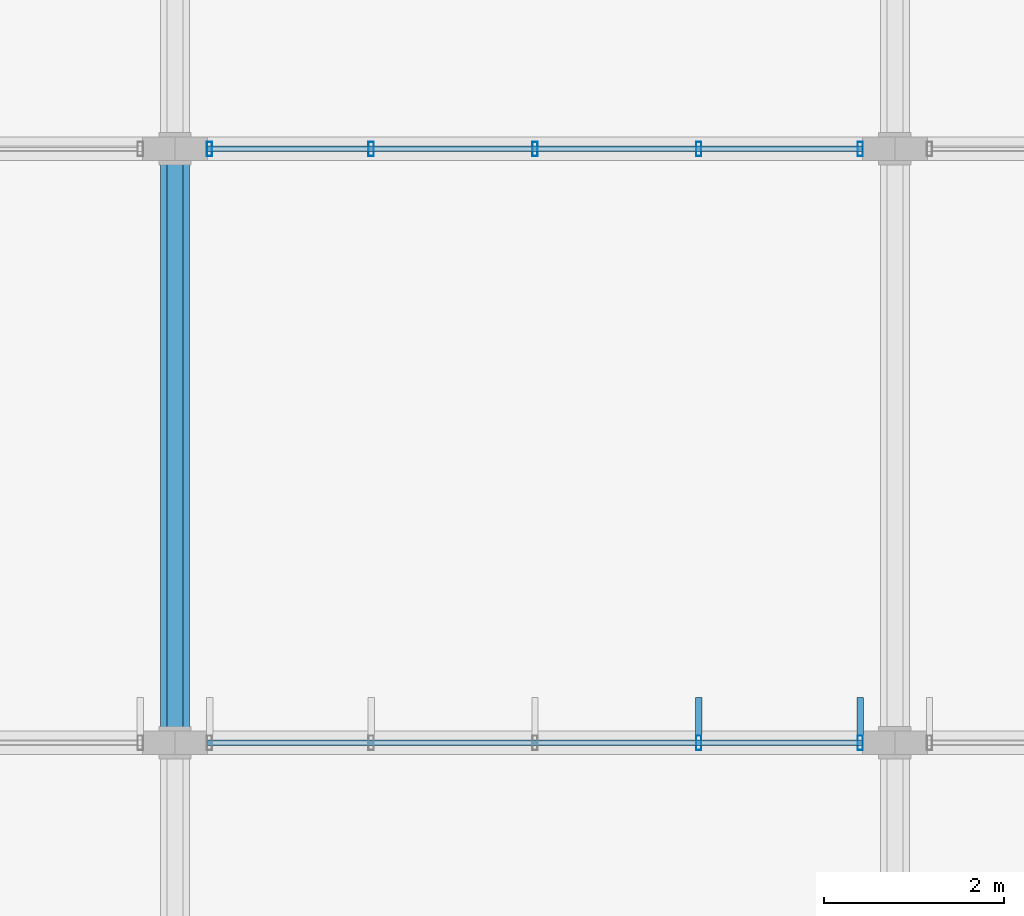
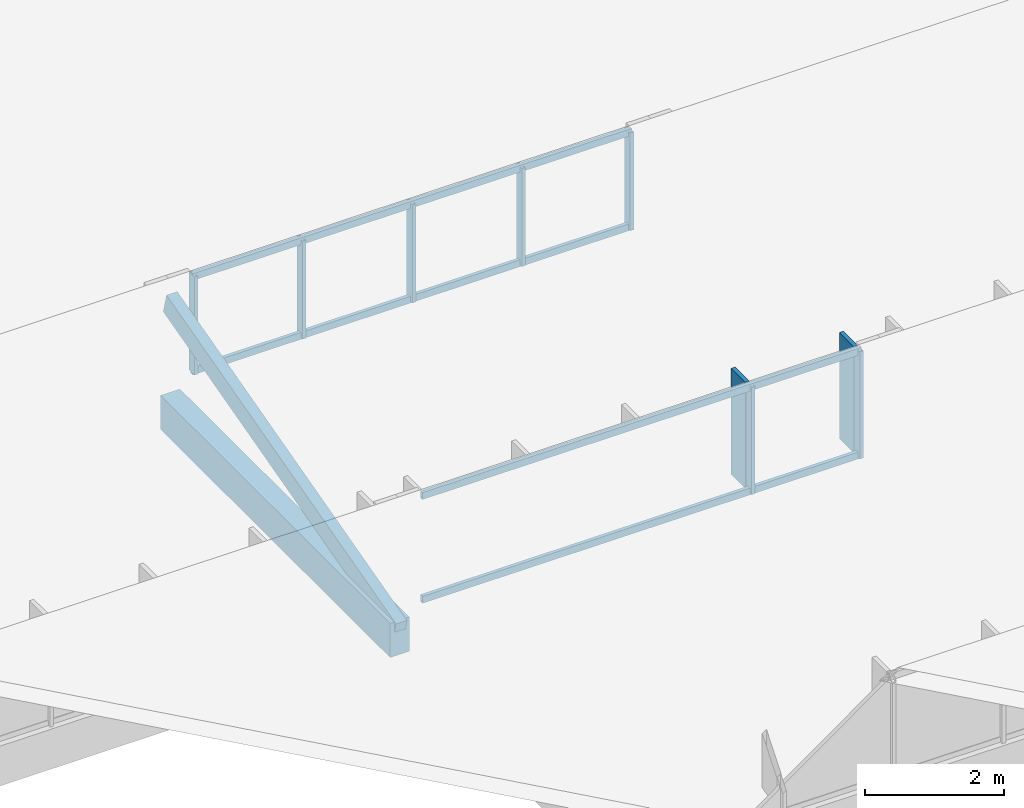
# One storey, part 13 of 94: 15 members, 2 elements without a shape of their own.
"""IFC4 building model written with IfcOpenShell, lengths in metres."""

from ifc_helpers import new_model, si_unit, direction, frame, origin, origin_2d, place, context, subcontext, project, spatial, rectangle, hollow_rectangle, extrude, material, material_profile, profile_set, type_object, element, aggregate, save


model = new_model("IFC4")

# Units and contexts
model_context = context("Model", 3, precision=1e-05, world=origin(), true_north=direction((0.0, 1.0)))
body_context = subcontext(model_context, "Body", "Model", "MODEL_VIEW")
ifc_project = project(units=[si_unit("LENGTHUNIT", "METRE"), si_unit("AREAUNIT", "SQUARE_METRE"), si_unit("VOLUMEUNIT", "CUBIC_METRE"), si_unit("PLANEANGLEUNIT", "RADIAN"), si_unit("MASSUNIT", "GRAM", prefix="KILO")], contexts=[model_context])

# Site, building, storey
site_placement = place(None, origin())
site = spatial("IfcSite", under=ifc_project, at=site_placement, CompositionType="ELEMENT")
building_placement = place(site_placement, origin())
building = spatial("IfcBuilding", under=site, at=building_placement, Name="Chiffa Square Polytechnic", CompositionType="ELEMENT")
storey_placement = place(building_placement, frame((0.0, 0.0, 18.0)))
storey = spatial("IfcBuildingStorey", under=building, at=storey_placement, Name="L04", CompositionType="ELEMENT", Elevation=18.0)

# Curtain wall, members
ifc_material_1 = material(Name="Aluminium EN AW-6060 T66 and glulam shading", Category="wood")
curtain_wall_type_1 = type_object("IfcCurtainWallType", Name="CW-VERT-600X380", PredefinedType="USERDEFINED", material=ifc_material_1)
curtain_wall_1_placement = place(storey_placement, origin())
curtain_wall_1 = element("IfcCurtainWall", 1, at=curtain_wall_1_placement, inside=storey, type_object=curtain_wall_type_1, Name="Curtain wall CW-V6-SAW2-2", ObjectType="CURTAIN WALL", PredefinedType="USERDEFINED")
ifc_material_2 = material(Name="Aluminium EN AW-6060 T66", Category="aluminium")
ifc_material_profile_1 = material_profile(ifc_material_2, hollow_rectangle(XDim=0.06005859375, YDim=0.159912109375, WallThickness=0.00390625, at=origin_2d()), Name="ALU 60x160x4")
ifc_profile_set_1 = profile_set([ifc_material_profile_1], Name="Aluminium EN AW-6060 T66")
member_type_1 = type_object("IfcMemberType", Name="CWM-ALU-65X150", PredefinedType="MULLION", material=ifc_profile_set_1)
member_1_placement = place(storey_placement, frame((15.614990234375, 51.0, 0.699951171875), z_axis=(0.0, 0.0, 1.0), x_axis=(1.0, 0.0, 0.0)))
member_1 = element("IfcMember", 2, at=member_1_placement, type_object=member_type_1, Name="Curtain wall mullion CW-V6-SAW2-2-M00", PredefinedType="MULLION", context=body_context, shape_type="SweptSolid", body=[
    extrude(hollow_rectangle(XDim=0.06005859375, YDim=0.159912109375, WallThickness=0.00390625, at=origin_2d()), origin(), (0.0, 0.0, 1.0), 1.879150390625),
])
member_2_placement = place(storey_placement, frame((13.820068359375, 51.0, 0.699951171875), z_axis=(0.0, 0.0, 1.0), x_axis=(1.0, 0.0, 0.0)))
member_2 = element("IfcMember", 3, at=member_2_placement, type_object=member_type_1, Name="Curtain wall mullion CW-V6-SAW2-2-M01", PredefinedType="MULLION", context=body_context, shape_type="SweptSolid", body=[
    extrude(hollow_rectangle(XDim=0.06005859375, YDim=0.159912109375, WallThickness=0.00390625, at=origin_2d()), origin(), (0.0, 0.0, 1.0), 1.879150390625),
])

curtain_wall_type_2 = type_object("IfcCurtainWallType", Name="CW-VERT-360X380", PredefinedType="USERDEFINED", material=ifc_material_1)
curtain_wall_2_placement = place(storey_placement, origin())
curtain_wall_2 = element("IfcCurtainWall", 4, at=curtain_wall_2_placement, inside=storey, type_object=curtain_wall_type_2, Name="Curtain wall CW-V6-SAW3-2", ObjectType="CURTAIN WALL", PredefinedType="USERDEFINED")
member_3_placement = place(storey_placement, frame((15.614990234375, 57.60009765625, 0.699951171875), z_axis=(0.0, 0.0, 1.0), x_axis=(1.0, 0.0, 0.0)))
member_3 = element("IfcMember", 5, at=member_3_placement, type_object=member_type_1, Name="Curtain wall mullion CW-V6-SAW3-2-M00", PredefinedType="MULLION", context=body_context, shape_type="SweptSolid", body=[
    extrude(hollow_rectangle(XDim=0.06005859375, YDim=0.159912109375, WallThickness=0.00390625, at=origin_2d()), origin(), (0.0, 0.0, 1.0), 1.718017578125),
])
member_4_placement = place(storey_placement, frame((13.820068359375, 57.60009765625, 0.699951171875), z_axis=(0.0, 0.0, 1.0), x_axis=(1.0, 0.0, 0.0)))
member_4 = element("IfcMember", 6, at=member_4_placement, type_object=member_type_1, Name="Curtain wall mullion CW-V6-SAW3-2-M01", PredefinedType="MULLION", context=body_context, shape_type="SweptSolid", body=[
    extrude(hollow_rectangle(XDim=0.06005859375, YDim=0.159912109375, WallThickness=0.00390625, at=origin_2d()), origin(), (0.0, 0.0, 1.0), 1.718017578125),
])
member_5_placement = place(storey_placement, frame((12.0, 57.60009765625, 0.699951171875), z_axis=(0.0, 0.0, 1.0), x_axis=(1.0, 0.0, 0.0)))
member_5 = element("IfcMember", 7, at=member_5_placement, type_object=member_type_1, Name="Curtain wall mullion CW-V6-SAW3-2-M02", PredefinedType="MULLION", context=body_context, shape_type="SweptSolid", body=[
    extrude(hollow_rectangle(XDim=0.06005859375, YDim=0.159912109375, WallThickness=0.00390625, at=origin_2d()), origin(), (0.0, 0.0, 1.0), 1.718017578125),
])
member_6_placement = place(storey_placement, frame((10.179931640625, 57.60009765625, 0.699951171875), z_axis=(0.0, 0.0, 1.0), x_axis=(1.0, 0.0, 0.0)))
member_6 = element("IfcMember", 8, at=member_6_placement, type_object=member_type_1, Name="Curtain wall mullion CW-V6-SAW3-2-M03", PredefinedType="MULLION", context=body_context, shape_type="SweptSolid", body=[
    extrude(hollow_rectangle(XDim=0.06005859375, YDim=0.159912109375, WallThickness=0.00390625, at=origin_2d()), origin(), (0.0, 0.0, 1.0), 1.718017578125),
])
member_7_placement = place(storey_placement, frame((8.385009765625, 57.60009765625, 0.699951171875), z_axis=(0.0, 0.0, 1.0), x_axis=(1.0, 0.0, 0.0)))
member_7 = element("IfcMember", 9, at=member_7_placement, type_object=member_type_1, Name="Curtain wall mullion CW-V6-SAW3-2-M04", PredefinedType="MULLION", context=body_context, shape_type="SweptSolid", body=[
    extrude(hollow_rectangle(XDim=0.06005859375, YDim=0.159912109375, WallThickness=0.00390625, at=origin_2d()), origin(), (0.0, 0.0, 1.0), 1.718017578125),
])

# Member
ifc_material_3 = material(Name="Glulam GL28h", Category="wood")
ifc_material_profile_2 = material_profile(ifc_material_3, rectangle(XDim=0.070068359375, YDim=0.419921875, at=origin_2d()), Name="GL28h 70x420")
ifc_profile_set_2 = profile_set([ifc_material_profile_2], Name="Glulam GL28h")
member_type_2 = type_object("IfcMemberType", Name="CWM-GL-70X420", PredefinedType="MULLION", material=ifc_profile_set_2)
member_8_placement = place(storey_placement, frame((15.614990234375, 51.2919921875, 0.7099609375), z_axis=(0.0, 0.0, 1.0), x_axis=(-1.0, 0.0, 0.0)))
member_8 = element("IfcMember", 10, at=member_8_placement, type_object=member_type_2, Name="Exterior glulam solar fin CW-V6-SAW2-2-FN00", PredefinedType="MULLION", context=body_context, shape_type="SweptSolid", body=[
    extrude(rectangle(XDim=0.070068359375, YDim=0.419921875, at=origin_2d()), origin(), (0.0, 0.0, 1.0), 1.859130859375),
])

member_9_placement = place(storey_placement, frame((13.820068359375, 51.2919921875, 0.7099609375), z_axis=(0.0, 0.0, 1.0), x_axis=(-1.0, 0.0, 0.0)))
member_9 = element("IfcMember", 11, at=member_9_placement, type_object=member_type_2, Name="Exterior glulam solar fin CW-V6-SAW2-2-FN01", PredefinedType="MULLION", context=body_context, shape_type="SweptSolid", body=[
    extrude(rectangle(XDim=0.070068359375, YDim=0.419921875, at=origin_2d()), origin(), (0.0, 0.0, 1.0), 1.859130859375),
])

ifc_material_profile_3 = material_profile(ifc_material_2, hollow_rectangle(XDim=0.06005859375, YDim=0.1201171875, WallThickness=0.00390625, at=origin_2d()), Name="ALU 60x120x4")
ifc_profile_set_3 = profile_set([ifc_material_profile_3], Name="Aluminium EN AW-6060 T66")
member_type_3 = type_object("IfcMemberType", Name="CWT-ALU-65X120", PredefinedType="USERDEFINED", material=ifc_profile_set_3)
member_10_placement = place(storey_placement, frame((15.64208984375, 51.0, 0.72998046875), z_axis=(-1.0, 0.0, 0.0), x_axis=(0.0, -1.0, 0.0)))
member_10 = element("IfcMember", 12, at=member_10_placement, type_object=member_type_3, Name="Curtain wall transom CW-V6-SAW2-2-T01", ObjectType="TRANSOM", PredefinedType="USERDEFINED", context=body_context, shape_type="SweptSolid", body=[
    extrude(hollow_rectangle(XDim=0.06005859375, YDim=0.1201171875, WallThickness=0.00390625, at=origin_2d()), origin(), (0.0, 0.0, 1.0), 7.2841796875),
])

member_11_placement = place(storey_placement, frame((15.64208984375, 51.0, 2.549072265625), z_axis=(-1.0, 0.0, 0.0), x_axis=(0.0, -1.0, 0.0)))
member_11 = element("IfcMember", 13, at=member_11_placement, type_object=member_type_3, Name="Curtain wall transom CW-V6-SAW2-2-T02", ObjectType="TRANSOM", PredefinedType="USERDEFINED", context=body_context, shape_type="SweptSolid", body=[
    extrude(hollow_rectangle(XDim=0.06005859375, YDim=0.1201171875, WallThickness=0.00390625, at=origin_2d()), origin(), (0.0, 0.0, 1.0), 7.2841796875),
])

aggregate(curtain_wall_1, [member_1, member_8, member_2, member_9, member_10, member_11])

member_12_placement = place(storey_placement, frame((15.64208984375, 57.60009765625, 0.72998046875), z_axis=(-1.0, 0.0, 0.0), x_axis=(0.0, -1.0, 0.0)))
member_12 = element("IfcMember", 14, at=member_12_placement, type_object=member_type_3, Name="Curtain wall transom CW-V6-SAW3-2-T01", ObjectType="TRANSOM", PredefinedType="USERDEFINED", context=body_context, shape_type="SweptSolid", body=[
    extrude(hollow_rectangle(XDim=0.06005859375, YDim=0.1201171875, WallThickness=0.00390625, at=origin_2d()), origin(), (0.0, 0.0, 1.0), 7.2841796875),
])

member_13_placement = place(storey_placement, frame((15.64208984375, 57.60009765625, 2.387939453125), z_axis=(-1.0, 0.0, 0.0), x_axis=(0.0, -1.0, 0.0)))
member_13 = element("IfcMember", 15, at=member_13_placement, type_object=member_type_3, Name="Curtain wall transom CW-V6-SAW3-2-T02", ObjectType="TRANSOM", PredefinedType="USERDEFINED", context=body_context, shape_type="SweptSolid", body=[
    extrude(hollow_rectangle(XDim=0.06005859375, YDim=0.1201171875, WallThickness=0.00390625, at=origin_2d()), origin(), (0.0, 0.0, 1.0), 7.2841796875),
])

aggregate(curtain_wall_2, [member_3, member_4, member_5, member_6, member_7, member_12, member_13])

# Members
ifc_material_4 = material(Name="Glulam GL32c", Category="wood")
ifc_material_profile_4 = material_profile(ifc_material_4, rectangle(XDim=0.320068359375, YDim=0.60009765625, at=origin_2d()), Name="GL32c 320x600")
ifc_profile_set_4 = profile_set([ifc_material_profile_4], Name="Glulam GL32c")
member_type_4 = type_object("IfcMemberType", Name="MEM-CHORD-GL320", PredefinedType="CHORD", material=ifc_profile_set_4)
member_14_placement = place(storey_placement, frame((8.0, 51.0, 0.179931640625), z_axis=(0.0, 1.0, 0.0), x_axis=(-1.0, 0.0, 0.0)))
element("IfcMember", 16, at=member_14_placement, inside=storey, type_object=member_type_4, Name="Studio sawtooth tie chord TCB-V6-SAW-012", PredefinedType="CHORD", context=body_context, shape_type="SweptSolid", body=[
    extrude(rectangle(XDim=0.320068359375, YDim=0.60009765625, at=origin_2d()), origin(), (0.0, 0.0, 1.0), 6.60009765625),
])
ifc_material_profile_5 = material_profile(ifc_material_3, rectangle(XDim=0.179931640625, YDim=0.360107421875, at=origin_2d()), Name="GL28h 180x360")
ifc_profile_set_5 = profile_set([ifc_material_profile_5], Name="Glulam GL28h")
member_type_5 = type_object("IfcMemberType", Name="MEM-RFT-GL180", PredefinedType="RAFTER", material=ifc_profile_set_5)
member_15_placement = place(storey_placement, frame((8.0, 51.0, 0.300048828125), z_axis=(0.0, 0.965941353683, 0.258761089124), x_axis=(-1.0, 0.0, 0.0)))
element("IfcMember", 17, at=member_15_placement, inside=storey, type_object=member_type_5, Name="Studio sawtooth glulam rafter RF-V6-L04-012", PredefinedType="RAFTER", context=body_context, shape_type="SweptSolid", body=[
    extrude(rectangle(XDim=0.179931640625, YDim=0.360107421875, at=origin_2d()), origin(), (0.0, 0.0, 1.0), 6.832763671875),
])

save(model, "model.ifc")
